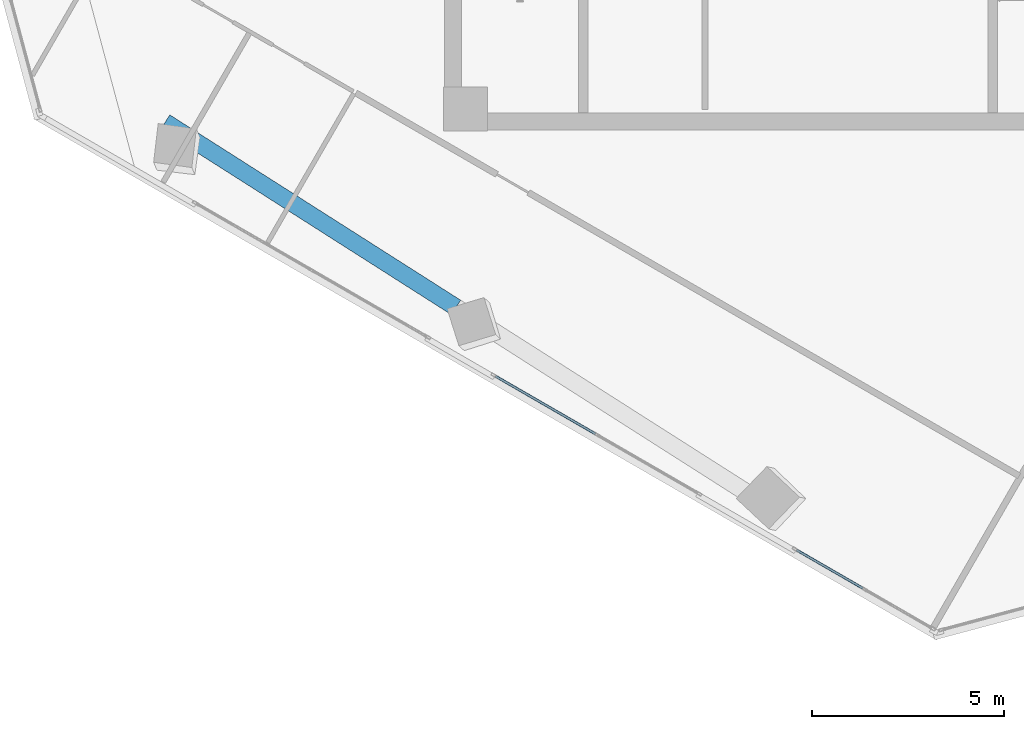
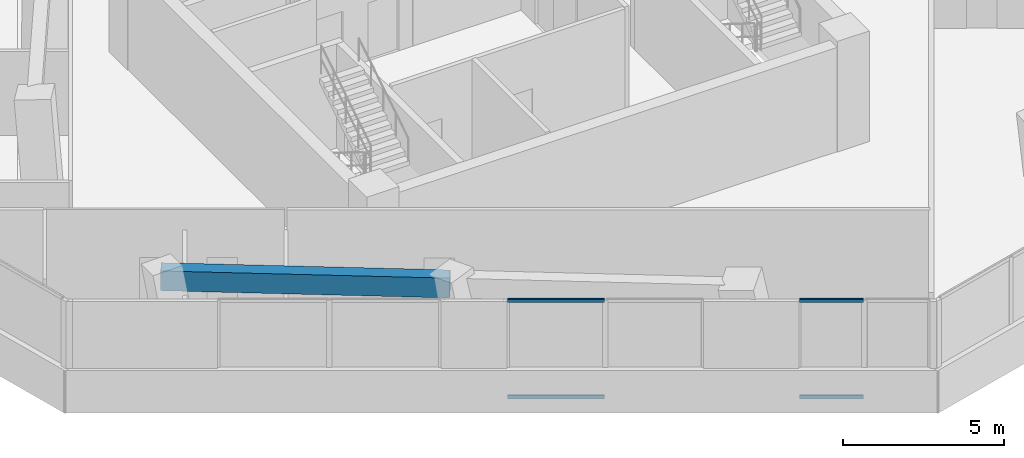
# One storey, part 3 of 22: 4 members, 1 beam, 2 elements without a shape of their own.
"""IFC4 building model written with IfcOpenShell, lengths in metres."""

from ifc_helpers import new_model, si_unit, direction, frame, origin, origin_2d, place, context, subcontext, project, spatial, rectangle, hollow_rectangle, extrude, source, transform, mapped, material, material_profile, profile_set, type_object, element, aggregate, save


model = new_model("IFC4")

# Units and contexts
model_context = context("Model", 3, precision=1e-05, world=origin(), true_north=direction((0.0, 1.0)))
body_context = subcontext(model_context, "Body", "Model", "MODEL_VIEW")
ifc_project = project(units=[si_unit("LENGTHUNIT", "METRE"), si_unit("AREAUNIT", "SQUARE_METRE"), si_unit("VOLUMEUNIT", "CUBIC_METRE"), si_unit("PLANEANGLEUNIT", "RADIAN"), si_unit("MASSUNIT", "GRAM", prefix="KILO")], contexts=[model_context])

# Site, building, storey
site_placement = place(None, origin())
site = spatial("IfcSite", under=ifc_project, at=site_placement, CompositionType="ELEMENT")
building_placement = place(site_placement, origin())
building = spatial("IfcBuilding", under=site, at=building_placement, Name="Torre Montelarca", CompositionType="ELEMENT")
storey_placement = place(building_placement, frame((0.0, 0.0, 183.39990234375)))
storey = spatial("IfcBuildingStorey", under=building, at=storey_placement, Name="L41", CompositionType="ELEMENT", Elevation=183.39990234375)

# Beam
ifc_material_1 = material(Name="Concrete C55/67", Category="concrete")
ifc_material_profile_1 = material_profile(ifc_material_1, rectangle(XDim=0.449951171875, YDim=0.75, at=origin_2d()), Name="RCB450X750", Category="concrete")
ifc_profile_set_1 = profile_set([ifc_material_profile_1], Name="Concrete C55/67")
beam_type = type_object("IfcBeamType", Name="BM-SP-RC750-EXT", PredefinedType="SPANDREL", material=ifc_profile_set_1)
shared_shape_1 = source(origin(), body_context, "Body", "SweptSolid", [
    extrude(rectangle(XDim=0.449951171875, YDim=0.75, at=origin_2d()), origin(), (0.0, 0.0, 1.0), 9.0),
])
beam_placement = place(storey_placement, frame((1.716064453125, 24.2099609375, 3.585205078125), z_axis=(0.843393307865, -0.5372966855, 0.0), x_axis=(0.5372966855, 0.843393307865, 0.0)))
element("IfcBeam", 1, at=beam_placement, inside=storey, type_object=beam_type, Name="L41 Grid Girder X 9.0-18.0 at Y=14.8", PredefinedType="SPANDREL", context=body_context, shape_type="MappedRepresentation", body=[
    mapped(shared_shape_1, transform((0.0, 0.0, 0.0), scale=1.0)),
])

# Curtain wall, members
ifc_material_2 = material(Name="Insulated low-E laminated glass", Category="glass")
curtain_wall_type = type_object("IfcCurtainWallType", Name="CW-SYS-Z2", PredefinedType="USERDEFINED", material=ifc_material_2)
curtain_wall_1_placement = place(storey_placement, origin())
curtain_wall_1 = element("IfcCurtainWall", 2, at=curtain_wall_1_placement, inside=storey, type_object=curtain_wall_type, Name="L41 Curtain Wall Run CW-T3-L41-E01-B3", ObjectType="UNITISED GLAZING", PredefinedType="USERDEFINED")
ifc_material_3 = material(Name="Anodised aluminium AA 6063-T6", Category="aluminium")
ifc_material_profile_2 = material_profile(ifc_material_3, hollow_rectangle(XDim=0.06494140625, YDim=0.139892578125, WallThickness=0.00390625, InnerFilletRadius=0.00390625, OuterFilletRadius=0.008056640625, at=origin_2d()), Name="ALU65X140X4", Category="aluminium")
ifc_profile_set_2 = profile_set([ifc_material_profile_2], Name="Anodised aluminium AA 6063-T6")
member_type = type_object("IfcMemberType", Name="CWT-ALU140", PredefinedType="USERDEFINED", material=ifc_profile_set_2)
shared_shape_2 = source(origin(), body_context, "Body", "SweptSolid", [
    extrude(hollow_rectangle(XDim=0.06494140625, YDim=0.139892578125, WallThickness=0.00390625, InnerFilletRadius=0.00390625, OuterFilletRadius=0.008056640625, at=origin_2d()), origin(), (0.0, 0.0, 1.0), 1.9921875),
])
member_1_placement = place(storey_placement, frame((18.197998046875, 13.041015625, 0.03271484375), z_axis=(0.866032532966, -0.499987651691, 0.0), x_axis=(0.499987651691, 0.866032532966, 0.0)))
member_1 = element("IfcMember", 3, at=member_1_placement, type_object=member_type, Name="CW transom 1.1", ObjectType="TRANSOM", PredefinedType="USERDEFINED", context=body_context, shape_type="MappedRepresentation", body=[
    mapped(shared_shape_2, transform((0.0, 0.0, 0.0), scale=1.0)),
])
member_2_placement = place(storey_placement, frame((18.197998046875, 13.041015625, 3.6875), z_axis=(0.866032532966, -0.499987651691, 0.0), x_axis=(0.499987651691, 0.866032532966, 0.0)))
member_2 = element("IfcMember", 4, at=member_2_placement, type_object=member_type, Name="CW transom 1.2", ObjectType="TRANSOM", PredefinedType="USERDEFINED", context=body_context, shape_type="MappedRepresentation", body=[
    mapped(shared_shape_2, transform((0.0, 0.0, 0.0), scale=1.0)),
])
aggregate(curtain_wall_1, [member_1, member_2])

curtain_wall_2_placement = place(storey_placement, origin())
curtain_wall_2 = element("IfcCurtainWall", 5, at=curtain_wall_2_placement, inside=storey, type_object=curtain_wall_type, Name="L41 Curtain Wall Run CW-T3-L41-E01-B2", ObjectType="UNITISED GLAZING", PredefinedType="USERDEFINED")
shared_shape_3 = source(origin(), body_context, "Body", "SweptSolid", [
    extrude(hollow_rectangle(XDim=0.06494140625, YDim=0.139892578125, WallThickness=0.00390625, InnerFilletRadius=0.00390625, OuterFilletRadius=0.008056640625, at=origin_2d()), origin(), (0.0, 0.0, 1.0), 3.00732421875),
])
member_3_placement = place(storey_placement, frame((10.3388671875, 17.578369140625, 0.03271484375), z_axis=(0.866031473494, -0.499989486807, 0.0), x_axis=(0.499989486807, 0.866031473494, 0.0)))
member_3 = element("IfcMember", 6, at=member_3_placement, type_object=member_type, Name="CW transom 1.1", ObjectType="TRANSOM", PredefinedType="USERDEFINED", context=body_context, shape_type="MappedRepresentation", body=[
    mapped(shared_shape_3, transform((0.0, 0.0, 0.0), scale=1.0)),
])
member_4_placement = place(storey_placement, frame((10.3388671875, 17.578369140625, 3.6875), z_axis=(0.866031473494, -0.499989486807, 0.0), x_axis=(0.499989486807, 0.866031473494, 0.0)))
member_4 = element("IfcMember", 7, at=member_4_placement, type_object=member_type, Name="CW transom 1.2", ObjectType="TRANSOM", PredefinedType="USERDEFINED", context=body_context, shape_type="MappedRepresentation", body=[
    mapped(shared_shape_3, transform((0.0, 0.0, 0.0), scale=1.0)),
])
aggregate(curtain_wall_2, [member_3, member_4])

save(model, "model.ifc")
